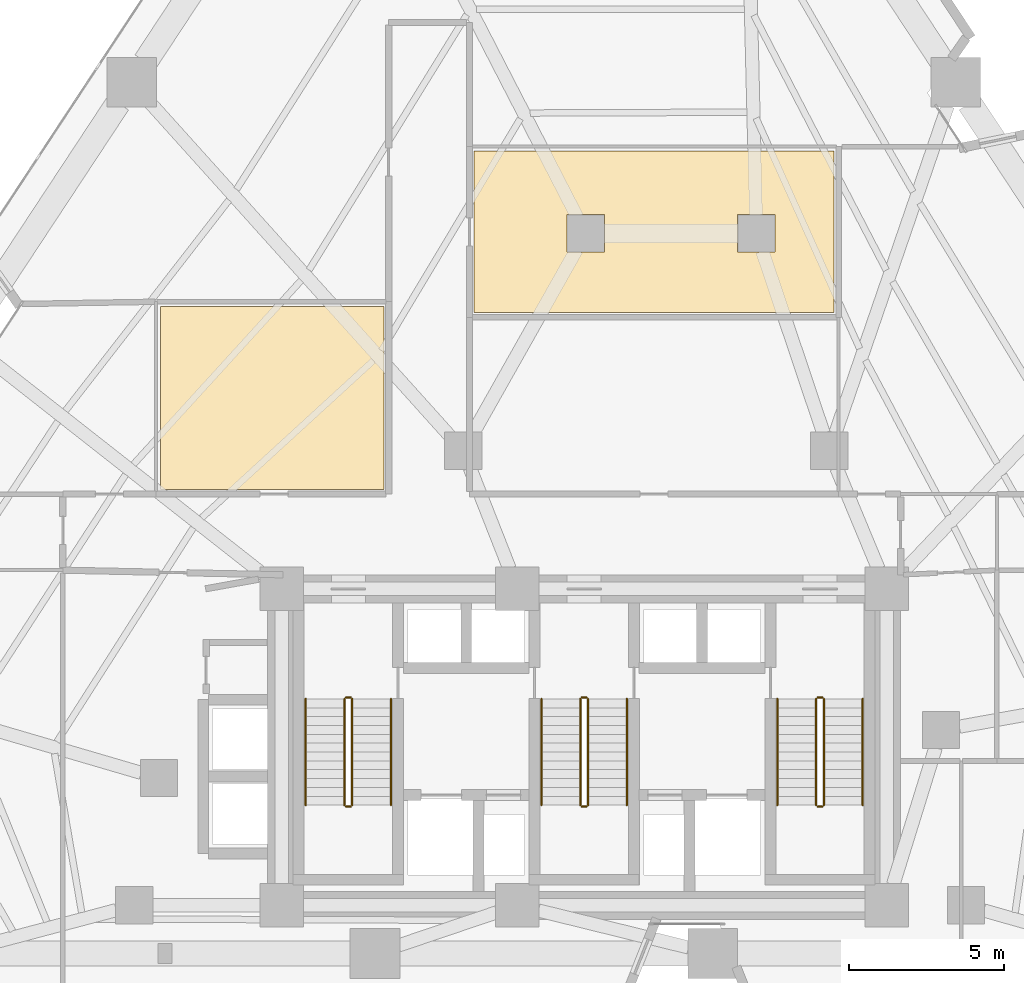
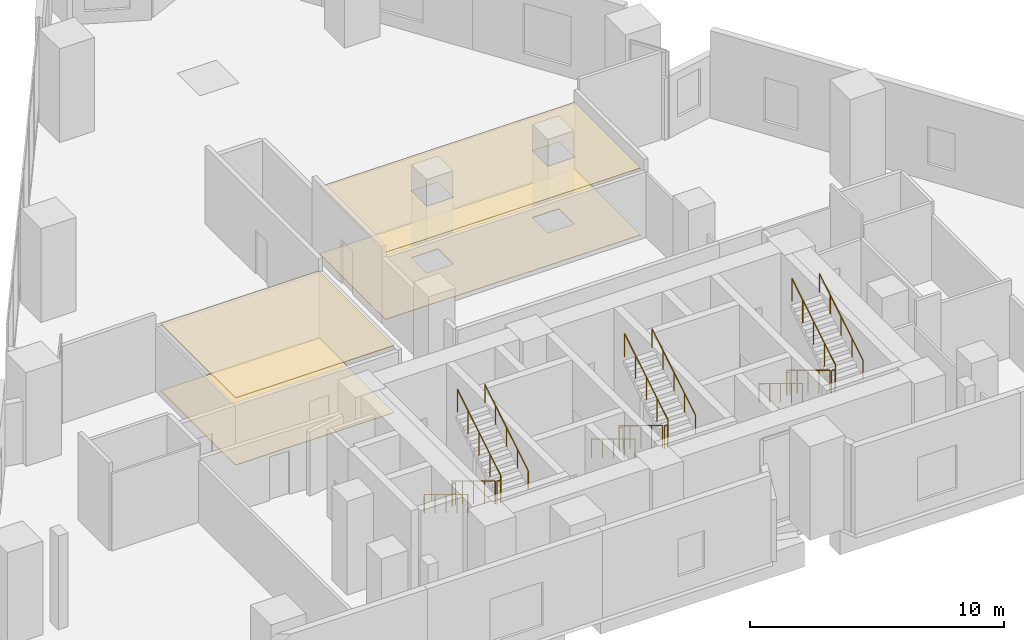
# One storey, part 11 of 12: 18 railings, 4 coverings.
"""IFC4 building model written with IfcOpenShell, lengths in metres."""

from ifc_helpers import new_model, si_unit, direction, frame, origin, origin_2d, place, context, subcontext, project, spatial, polyline, circle, outline, extrude, material, layer, layer_set, type_object, element, save


model = new_model("IFC4")

# Units and contexts
model_context = context("Model", 3, precision=1e-05, world=origin(), true_north=direction((0.0, 1.0)))
body_context = subcontext(model_context, "Body", "Model", "MODEL_VIEW")
ifc_project = project(units=[si_unit("LENGTHUNIT", "METRE"), si_unit("AREAUNIT", "SQUARE_METRE"), si_unit("VOLUMEUNIT", "CUBIC_METRE"), si_unit("PLANEANGLEUNIT", "RADIAN"), si_unit("MASSUNIT", "GRAM", prefix="KILO")], contexts=[model_context])

# Site, building, storey
site_placement = place(None, origin())
site = spatial("IfcSite", under=ifc_project, at=site_placement, CompositionType="ELEMENT")
building_placement = place(site_placement, origin())
building = spatial("IfcBuilding", under=site, at=building_placement, Name="Almagre Mirador Tower", CompositionType="ELEMENT")
storey_placement = place(building_placement, frame((0.0, 0.0, 17.39990234375)))
storey = spatial("IfcBuildingStorey", under=building, at=storey_placement, Name="L03", CompositionType="ELEMENT", Elevation=17.39990234375)

# Coverings
ifc_material_1 = material(Name="Perforated acoustic gypsum ceiling", Category="other")
ifc_layer_1 = layer(ifc_material_1, 0.01806640625)
ifc_layer_set_1 = layer_set([ifc_layer_1], Name="Perforated acoustic gypsum ceiling")
covering_type_1 = type_object("IfcCoveringType", Name="COV-CEIL-GYP-18", PredefinedType="CEILING", material=ifc_layer_set_1)
covering_1_placement = place(storey_placement, frame((0.0, 0.0, 3.22021484375)))
element("IfcCovering", 1, at=covering_1_placement, inside=storey, type_object=covering_type_1, Name="L03 Acoustics Relaxation Lounge acoustic suspended ceiling", PredefinedType="CEILING", context=body_context, shape_type="SweptSolid", body=[
    extrude(outline(polyline([(45.35009765625, 28.85009765625), (45.35009765625, 23.64990234375), (33.75, 23.64990234375), (33.75, 28.85009765625), (45.35009765625, 28.85009765625)]), holes=[polyline([(36.7451171875, 25.594970703125), (36.7451171875, 26.804931640625), (37.955078125, 26.804931640625), (37.955078125, 25.594970703125), (36.7451171875, 25.594970703125)]), polyline([(42.2451171875, 25.594970703125), (42.2451171875, 26.804931640625), (43.455078125, 26.804931640625), (43.455078125, 25.594970703125), (42.2451171875, 25.594970703125)])]), origin(), (0.0, 0.0, 1.0), 0.017822265625),
])
ifc_material_2 = material(Name="Slatted white oak acoustic ceiling", Category="wood")
ifc_layer_2 = layer(ifc_material_2, 0.02392578125)
ifc_layer_set_2 = layer_set([ifc_layer_2], Name="Slatted white oak acoustic ceiling")
covering_type_2 = type_object("IfcCoveringType", Name="COV-CEIL-WD-24", PredefinedType="CEILING", material=ifc_layer_set_2)
covering_2_placement = place(storey_placement, frame((0.0, 0.0, 3.22021484375)))
element("IfcCovering", 2, at=covering_2_placement, inside=storey, type_object=covering_type_2, Name="L03 Botanical Wellness Tea Bar acoustic suspended ceiling", PredefinedType="CEILING", context=body_context, shape_type="SweptSolid", body=[
    extrude(outline(polyline([(23.64990234375, 17.949951171875), (23.64990234375, 23.85009765625), (30.85009765625, 23.85009765625), (30.85009765625, 17.949951171875), (23.64990234375, 17.949951171875)])), origin(), (0.0, 0.0, 1.0), 0.02392578125),
])
ifc_material_3 = material(Name="Honed basalt terrazzo flooring", Category="masonry")
ifc_layer_3 = layer(ifc_material_3, 0.02197265625)
ifc_layer_set_3 = layer_set([ifc_layer_3], Name="Honed basalt terrazzo flooring")
covering_type_3 = type_object("IfcCoveringType", Name="COV-FLR-TER-22", PredefinedType="FLOORING", material=ifc_layer_set_3)
covering_3_placement = place(storey_placement, origin())
element("IfcCovering", 3, at=covering_3_placement, inside=storey, type_object=covering_type_3, Name="L03 Botanical Wellness Tea Bar finish flooring", PredefinedType="FLOORING", context=body_context, shape_type="SweptSolid", body=[
    extrude(outline(polyline([(23.64990234375, 17.949951171875), (23.64990234375, 23.85009765625), (30.85009765625, 23.85009765625), (30.85009765625, 17.949951171875), (23.64990234375, 17.949951171875)])), origin(), (0.0, 0.0, 1.0), 0.022216796875),
])
covering_4_placement = place(storey_placement, origin())
element("IfcCovering", 4, at=covering_4_placement, inside=storey, type_object=covering_type_3, Name="L03 Acoustics Relaxation Lounge finish flooring", PredefinedType="FLOORING", context=body_context, shape_type="SweptSolid", body=[
    extrude(outline(polyline([(45.35009765625, 28.85009765625), (45.35009765625, 23.64990234375), (33.75, 23.64990234375), (33.75, 28.85009765625), (45.35009765625, 28.85009765625)]), holes=[polyline([(36.7451171875, 25.594970703125), (36.7451171875, 26.804931640625), (37.955078125, 26.804931640625), (37.955078125, 25.594970703125), (36.7451171875, 25.594970703125)]), polyline([(42.2451171875, 25.594970703125), (42.2451171875, 26.804931640625), (43.455078125, 26.804931640625), (43.455078125, 25.594970703125), (42.2451171875, 25.594970703125)])]), origin(), (0.0, 0.0, 1.0), 0.022216796875),
])

# Railings
ifc_material_4 = material(Name="Painted galvanized steel", Category="steel")
railing_type_1 = type_object("IfcRailingType", Name="RLG-GRD-1100", PredefinedType="GUARDRAIL", material=ifc_material_4)
railing_1_placement = place(storey_placement, frame((29.574951171875, 11.199951171875, 0.173095703125)))
element("IfcRailing", 5, at=railing_1_placement, inside=storey, type_object=railing_type_1, Name="L03 ST-1 stair guard 1", PredefinedType="GUARDRAIL", context=body_context, shape_type="SweptSolid", body=[
    extrude(circle(Radius=0.02392578125, at=origin_2d()), frame((0.0, 0.0, 1.09619140625), z_axis=(0.0, -0.854729506542, 0.519073665916), x_axis=(1.0, 0.0, 0.0)), (0.0, 0.0, 1.0), 4.001220703125),
    extrude(circle(Radius=0.02099609375, at=origin_2d()), origin(), (0.0, 0.0, 1.0), 1.072021484375),
    extrude(circle(Radius=0.02099609375, at=origin_2d()), frame((0.0, -0.85498046875, 0.519287109375)), (0.0, 0.0, 1.0), 1.072021484375),
    extrude(circle(Radius=0.02099609375, at=origin_2d()), frame((0.0, -1.7099609375, 1.03857421875)), (0.0, 0.0, 1.0), 1.072021484375),
    extrude(circle(Radius=0.02099609375, at=origin_2d()), frame((0.0, -2.56494140625, 1.5576171875)), (0.0, 0.0, 1.0), 1.072021484375),
    extrude(circle(Radius=0.02099609375, at=origin_2d()), frame((0.0, -3.419921875, 2.076904296875)), (0.0, 0.0, 1.0), 1.072021484375),
])
railing_2_placement = place(storey_placement, frame((29.625, 7.72998046875, 2.25)))
element("IfcRailing", 6, at=railing_2_placement, inside=storey, type_object=railing_type_1, Name="L03 ST-1 stair guard 2", PredefinedType="GUARDRAIL", context=body_context, shape_type="SweptSolid", body=[
    extrude(circle(Radius=0.02392578125, at=origin_2d()), frame((0.0, 0.0, 1.09619140625), z_axis=(1.0, 0.0, 0.0), x_axis=(0.0, 1.0, 0.0)), (0.0, 0.0, 1.0), 0.14990234375),
    extrude(circle(Radius=0.02099609375, at=origin_2d()), origin(), (0.0, 0.0, 1.0), 1.072021484375),
    extrude(circle(Radius=0.02099609375, at=origin_2d()), frame((0.14990234375, 0.0, 0.0)), (0.0, 0.0, 1.0), 1.072021484375),
])
railing_3_placement = place(storey_placement, frame((29.824951171875, 7.780029296875, 2.423095703125)))
element("IfcRailing", 7, at=railing_3_placement, inside=storey, type_object=railing_type_1, Name="L03 ST-1 stair guard 3", PredefinedType="GUARDRAIL", context=body_context, shape_type="SweptSolid", body=[
    extrude(circle(Radius=0.02392578125, at=origin_2d()), frame((0.0, 0.0, 1.09619140625), z_axis=(0.0, 0.854729506542, 0.519073665916), x_axis=(-1.0, 0.0, 0.0)), (0.0, 0.0, 1.0), 4.001220703125),
    extrude(circle(Radius=0.02099609375, at=origin_2d()), origin(), (0.0, 0.0, 1.0), 1.072021484375),
    extrude(circle(Radius=0.02099609375, at=origin_2d()), frame((0.0, 0.85498046875, 0.519287109375)), (0.0, 0.0, 1.0), 1.072021484375),
    extrude(circle(Radius=0.02099609375, at=origin_2d()), frame((0.0, 1.7099609375, 1.03857421875)), (0.0, 0.0, 1.0), 1.072021484375),
    extrude(circle(Radius=0.02099609375, at=origin_2d()), frame((0.0, 2.56494140625, 1.5576171875)), (0.0, 0.0, 1.0), 1.072021484375),
    extrude(circle(Radius=0.02099609375, at=origin_2d()), frame((0.0, 3.419921875, 2.076904296875)), (0.0, 0.0, 1.0), 1.072021484375),
])
railing_4_placement = place(storey_placement, frame((29.625, 11.25, 0.0)))
element("IfcRailing", 8, at=railing_4_placement, inside=storey, type_object=railing_type_1, Name="L03 ST-1 stair guard 4", PredefinedType="GUARDRAIL", context=body_context, shape_type="SweptSolid", body=[
    extrude(circle(Radius=0.02392578125, at=origin_2d()), frame((0.0, 0.0, 1.09619140625), z_axis=(1.0, 0.0, 0.0), x_axis=(0.0, 1.0, 0.0)), (0.0, 0.0, 1.0), 0.14990234375),
    extrude(circle(Radius=0.02099609375, at=origin_2d()), origin(), (0.0, 0.0, 1.0), 1.072021484375),
    extrude(circle(Radius=0.02099609375, at=origin_2d()), frame((0.14990234375, 0.0, 0.0)), (0.0, 0.0, 1.0), 1.072021484375),
])
railing_5_placement = place(storey_placement, frame((37.175048828125, 11.199951171875, 0.173095703125)))
element("IfcRailing", 9, at=railing_5_placement, inside=storey, type_object=railing_type_1, Name="L03 ST-2 stair guard 1", PredefinedType="GUARDRAIL", context=body_context, shape_type="SweptSolid", body=[
    extrude(circle(Radius=0.02392578125, at=origin_2d()), frame((0.0, 0.0, 1.09619140625), z_axis=(0.0, -0.854729506542, 0.519073665916), x_axis=(1.0, 0.0, 0.0)), (0.0, 0.0, 1.0), 4.001220703125),
    extrude(circle(Radius=0.02099609375, at=origin_2d()), origin(), (0.0, 0.0, 1.0), 1.072021484375),
    extrude(circle(Radius=0.02099609375, at=origin_2d()), frame((0.0, -0.85498046875, 0.519287109375)), (0.0, 0.0, 1.0), 1.072021484375),
    extrude(circle(Radius=0.02099609375, at=origin_2d()), frame((0.0, -1.7099609375, 1.03857421875)), (0.0, 0.0, 1.0), 1.072021484375),
    extrude(circle(Radius=0.02099609375, at=origin_2d()), frame((0.0, -2.56494140625, 1.5576171875)), (0.0, 0.0, 1.0), 1.072021484375),
    extrude(circle(Radius=0.02099609375, at=origin_2d()), frame((0.0, -3.419921875, 2.076904296875)), (0.0, 0.0, 1.0), 1.072021484375),
])
railing_6_placement = place(storey_placement, frame((37.22509765625, 7.72998046875, 2.25)))
element("IfcRailing", 10, at=railing_6_placement, inside=storey, type_object=railing_type_1, Name="L03 ST-2 stair guard 2", PredefinedType="GUARDRAIL", context=body_context, shape_type="SweptSolid", body=[
    extrude(circle(Radius=0.02392578125, at=origin_2d()), frame((0.0, 0.0, 1.09619140625), z_axis=(1.0, 0.0, 0.0), x_axis=(0.0, 1.0, 0.0)), (0.0, 0.0, 1.0), 0.14990234375),
    extrude(circle(Radius=0.02099609375, at=origin_2d()), origin(), (0.0, 0.0, 1.0), 1.072021484375),
    extrude(circle(Radius=0.02099609375, at=origin_2d()), frame((0.14990234375, 0.0, 0.0)), (0.0, 0.0, 1.0), 1.072021484375),
])
railing_7_placement = place(storey_placement, frame((37.425048828125, 7.780029296875, 2.423095703125)))
element("IfcRailing", 11, at=railing_7_placement, inside=storey, type_object=railing_type_1, Name="L03 ST-2 stair guard 3", PredefinedType="GUARDRAIL", context=body_context, shape_type="SweptSolid", body=[
    extrude(circle(Radius=0.02392578125, at=origin_2d()), frame((0.0, 0.0, 1.09619140625), z_axis=(0.0, 0.854729506542, 0.519073665916), x_axis=(-1.0, 0.0, 0.0)), (0.0, 0.0, 1.0), 4.001220703125),
    extrude(circle(Radius=0.02099609375, at=origin_2d()), origin(), (0.0, 0.0, 1.0), 1.072021484375),
    extrude(circle(Radius=0.02099609375, at=origin_2d()), frame((0.0, 0.85498046875, 0.519287109375)), (0.0, 0.0, 1.0), 1.072021484375),
    extrude(circle(Radius=0.02099609375, at=origin_2d()), frame((0.0, 1.7099609375, 1.03857421875)), (0.0, 0.0, 1.0), 1.072021484375),
    extrude(circle(Radius=0.02099609375, at=origin_2d()), frame((0.0, 2.56494140625, 1.5576171875)), (0.0, 0.0, 1.0), 1.072021484375),
    extrude(circle(Radius=0.02099609375, at=origin_2d()), frame((0.0, 3.419921875, 2.076904296875)), (0.0, 0.0, 1.0), 1.072021484375),
])
railing_8_placement = place(storey_placement, frame((37.22509765625, 11.25, 0.0)))
element("IfcRailing", 12, at=railing_8_placement, inside=storey, type_object=railing_type_1, Name="L03 ST-2 stair guard 4", PredefinedType="GUARDRAIL", context=body_context, shape_type="SweptSolid", body=[
    extrude(circle(Radius=0.02392578125, at=origin_2d()), frame((0.0, 0.0, 1.09619140625), z_axis=(1.0, 0.0, 0.0), x_axis=(0.0, 1.0, 0.0)), (0.0, 0.0, 1.0), 0.14990234375),
    extrude(circle(Radius=0.02099609375, at=origin_2d()), origin(), (0.0, 0.0, 1.0), 1.072021484375),
    extrude(circle(Radius=0.02099609375, at=origin_2d()), frame((0.14990234375, 0.0, 0.0)), (0.0, 0.0, 1.0), 1.072021484375),
])
railing_9_placement = place(storey_placement, frame((44.77490234375, 11.199951171875, 0.173095703125)))
element("IfcRailing", 13, at=railing_9_placement, inside=storey, type_object=railing_type_1, Name="L03 ST-3 stair guard 1", PredefinedType="GUARDRAIL", context=body_context, shape_type="SweptSolid", body=[
    extrude(circle(Radius=0.02392578125, at=origin_2d()), frame((0.0, 0.0, 1.09619140625), z_axis=(0.0, -0.854729506542, 0.519073665916), x_axis=(1.0, 0.0, 0.0)), (0.0, 0.0, 1.0), 4.001220703125),
    extrude(circle(Radius=0.02099609375, at=origin_2d()), origin(), (0.0, 0.0, 1.0), 1.072021484375),
    extrude(circle(Radius=0.02099609375, at=origin_2d()), frame((0.0, -0.85498046875, 0.519287109375)), (0.0, 0.0, 1.0), 1.072021484375),
    extrude(circle(Radius=0.02099609375, at=origin_2d()), frame((0.0, -1.7099609375, 1.03857421875)), (0.0, 0.0, 1.0), 1.072021484375),
    extrude(circle(Radius=0.02099609375, at=origin_2d()), frame((0.0, -2.56494140625, 1.5576171875)), (0.0, 0.0, 1.0), 1.072021484375),
    extrude(circle(Radius=0.02099609375, at=origin_2d()), frame((0.0, -3.419921875, 2.076904296875)), (0.0, 0.0, 1.0), 1.072021484375),
])
railing_10_placement = place(storey_placement, frame((44.824951171875, 7.72998046875, 2.25)))
element("IfcRailing", 14, at=railing_10_placement, inside=storey, type_object=railing_type_1, Name="L03 ST-3 stair guard 2", PredefinedType="GUARDRAIL", context=body_context, shape_type="SweptSolid", body=[
    extrude(circle(Radius=0.02392578125, at=origin_2d()), frame((0.0, 0.0, 1.09619140625), z_axis=(1.0, 0.0, 0.0), x_axis=(0.0, 1.0, 0.0)), (0.0, 0.0, 1.0), 0.150146484375),
    extrude(circle(Radius=0.02099609375, at=origin_2d()), origin(), (0.0, 0.0, 1.0), 1.072021484375),
    extrude(circle(Radius=0.02099609375, at=origin_2d()), frame((0.150146484375, 0.0, 0.0)), (0.0, 0.0, 1.0), 1.072021484375),
])
railing_11_placement = place(storey_placement, frame((45.02490234375, 7.780029296875, 2.423095703125)))
element("IfcRailing", 15, at=railing_11_placement, inside=storey, type_object=railing_type_1, Name="L03 ST-3 stair guard 3", PredefinedType="GUARDRAIL", context=body_context, shape_type="SweptSolid", body=[
    extrude(circle(Radius=0.02392578125, at=origin_2d()), frame((0.0, 0.0, 1.09619140625), z_axis=(0.0, 0.854729506542, 0.519073665916), x_axis=(-1.0, 0.0, 0.0)), (0.0, 0.0, 1.0), 4.001220703125),
    extrude(circle(Radius=0.02099609375, at=origin_2d()), origin(), (0.0, 0.0, 1.0), 1.072021484375),
    extrude(circle(Radius=0.02099609375, at=origin_2d()), frame((0.0, 0.85498046875, 0.519287109375)), (0.0, 0.0, 1.0), 1.072021484375),
    extrude(circle(Radius=0.02099609375, at=origin_2d()), frame((0.0, 1.7099609375, 1.03857421875)), (0.0, 0.0, 1.0), 1.072021484375),
    extrude(circle(Radius=0.02099609375, at=origin_2d()), frame((0.0, 2.56494140625, 1.5576171875)), (0.0, 0.0, 1.0), 1.072021484375),
    extrude(circle(Radius=0.02099609375, at=origin_2d()), frame((0.0, 3.419921875, 2.076904296875)), (0.0, 0.0, 1.0), 1.072021484375),
])
railing_12_placement = place(storey_placement, frame((44.824951171875, 11.25, 0.0)))
element("IfcRailing", 16, at=railing_12_placement, inside=storey, type_object=railing_type_1, Name="L03 ST-3 stair guard 4", PredefinedType="GUARDRAIL", context=body_context, shape_type="SweptSolid", body=[
    extrude(circle(Radius=0.02392578125, at=origin_2d()), frame((0.0, 0.0, 1.09619140625), z_axis=(1.0, 0.0, 0.0), x_axis=(0.0, 1.0, 0.0)), (0.0, 0.0, 1.0), 0.150146484375),
    extrude(circle(Radius=0.02099609375, at=origin_2d()), origin(), (0.0, 0.0, 1.0), 1.072021484375),
    extrude(circle(Radius=0.02099609375, at=origin_2d()), frame((0.150146484375, 0.0, 0.0)), (0.0, 0.0, 1.0), 1.072021484375),
])
ifc_material_5 = material(Name="Brushed stainless steel", Category="steel")
railing_type_2 = type_object("IfcRailingType", Name="RLG-HND-915", PredefinedType="HANDRAIL", material=ifc_material_5)
railing_13_placement = place(storey_placement, frame((28.324951171875, 11.199951171875, 0.173095703125)))
element("IfcRailing", 17, at=railing_13_placement, inside=storey, type_object=railing_type_2, Name="L03 ST-1 stair handrail 1", PredefinedType="HANDRAIL", context=body_context, shape_type="SweptSolid", body=[
    extrude(circle(Radius=0.02392578125, at=origin_2d()), frame((0.0, 0.0, 0.89111328125), z_axis=(0.0, -0.854729506542, 0.519073665916), x_axis=(1.0, 0.0, 0.0)), (0.0, 0.0, 1.0), 4.001220703125),
    extrude(circle(Radius=0.02099609375, at=origin_2d()), origin(), (0.0, 0.0, 1.0), 0.866943359375),
    extrude(circle(Radius=0.02099609375, at=origin_2d()), frame((0.0, -0.85498046875, 0.519287109375)), (0.0, 0.0, 1.0), 0.866943359375),
    extrude(circle(Radius=0.02099609375, at=origin_2d()), frame((0.0, -1.7099609375, 1.03857421875)), (0.0, 0.0, 1.0), 0.866943359375),
    extrude(circle(Radius=0.02099609375, at=origin_2d()), frame((0.0, -2.56494140625, 1.5576171875)), (0.0, 0.0, 1.0), 0.866943359375),
    extrude(circle(Radius=0.02099609375, at=origin_2d()), frame((0.0, -3.419921875, 2.076904296875)), (0.0, 0.0, 1.0), 0.866943359375),
])
railing_14_placement = place(storey_placement, frame((31.074951171875, 7.780029296875, 2.423095703125)))
element("IfcRailing", 18, at=railing_14_placement, inside=storey, type_object=railing_type_2, Name="L03 ST-1 stair handrail 2", PredefinedType="HANDRAIL", context=body_context, shape_type="SweptSolid", body=[
    extrude(circle(Radius=0.02392578125, at=origin_2d()), frame((0.0, 0.0, 0.89111328125), z_axis=(0.0, 0.854729506542, 0.519073665916), x_axis=(-1.0, 0.0, 0.0)), (0.0, 0.0, 1.0), 4.001220703125),
    extrude(circle(Radius=0.02099609375, at=origin_2d()), origin(), (0.0, 0.0, 1.0), 0.866943359375),
    extrude(circle(Radius=0.02099609375, at=origin_2d()), frame((0.0, 0.85498046875, 0.519287109375)), (0.0, 0.0, 1.0), 0.866943359375),
    extrude(circle(Radius=0.02099609375, at=origin_2d()), frame((0.0, 1.7099609375, 1.03857421875)), (0.0, 0.0, 1.0), 0.866943359375),
    extrude(circle(Radius=0.02099609375, at=origin_2d()), frame((0.0, 2.56494140625, 1.5576171875)), (0.0, 0.0, 1.0), 0.866943359375),
    extrude(circle(Radius=0.02099609375, at=origin_2d()), frame((0.0, 3.419921875, 2.076904296875)), (0.0, 0.0, 1.0), 0.866943359375),
])
railing_15_placement = place(storey_placement, frame((35.925048828125, 11.199951171875, 0.173095703125)))
element("IfcRailing", 19, at=railing_15_placement, inside=storey, type_object=railing_type_2, Name="L03 ST-2 stair handrail 1", PredefinedType="HANDRAIL", context=body_context, shape_type="SweptSolid", body=[
    extrude(circle(Radius=0.02392578125, at=origin_2d()), frame((0.0, 0.0, 0.89111328125), z_axis=(0.0, -0.854729506542, 0.519073665916), x_axis=(1.0, 0.0, 0.0)), (0.0, 0.0, 1.0), 4.001220703125),
    extrude(circle(Radius=0.02099609375, at=origin_2d()), origin(), (0.0, 0.0, 1.0), 0.866943359375),
    extrude(circle(Radius=0.02099609375, at=origin_2d()), frame((0.0, -0.85498046875, 0.519287109375)), (0.0, 0.0, 1.0), 0.866943359375),
    extrude(circle(Radius=0.02099609375, at=origin_2d()), frame((0.0, -1.7099609375, 1.03857421875)), (0.0, 0.0, 1.0), 0.866943359375),
    extrude(circle(Radius=0.02099609375, at=origin_2d()), frame((0.0, -2.56494140625, 1.5576171875)), (0.0, 0.0, 1.0), 0.866943359375),
    extrude(circle(Radius=0.02099609375, at=origin_2d()), frame((0.0, -3.419921875, 2.076904296875)), (0.0, 0.0, 1.0), 0.866943359375),
])
railing_16_placement = place(storey_placement, frame((38.675048828125, 7.780029296875, 2.423095703125)))
element("IfcRailing", 20, at=railing_16_placement, inside=storey, type_object=railing_type_2, Name="L03 ST-2 stair handrail 2", PredefinedType="HANDRAIL", context=body_context, shape_type="SweptSolid", body=[
    extrude(circle(Radius=0.02392578125, at=origin_2d()), frame((0.0, 0.0, 0.89111328125), z_axis=(0.0, 0.854729506542, 0.519073665916), x_axis=(-1.0, 0.0, 0.0)), (0.0, 0.0, 1.0), 4.001220703125),
    extrude(circle(Radius=0.02099609375, at=origin_2d()), origin(), (0.0, 0.0, 1.0), 0.866943359375),
    extrude(circle(Radius=0.02099609375, at=origin_2d()), frame((0.0, 0.85498046875, 0.519287109375)), (0.0, 0.0, 1.0), 0.866943359375),
    extrude(circle(Radius=0.02099609375, at=origin_2d()), frame((0.0, 1.7099609375, 1.03857421875)), (0.0, 0.0, 1.0), 0.866943359375),
    extrude(circle(Radius=0.02099609375, at=origin_2d()), frame((0.0, 2.56494140625, 1.5576171875)), (0.0, 0.0, 1.0), 0.866943359375),
    extrude(circle(Radius=0.02099609375, at=origin_2d()), frame((0.0, 3.419921875, 2.076904296875)), (0.0, 0.0, 1.0), 0.866943359375),
])
railing_17_placement = place(storey_placement, frame((43.52490234375, 11.199951171875, 0.173095703125)))
element("IfcRailing", 21, at=railing_17_placement, inside=storey, type_object=railing_type_2, Name="L03 ST-3 stair handrail 1", PredefinedType="HANDRAIL", context=body_context, shape_type="SweptSolid", body=[
    extrude(circle(Radius=0.02392578125, at=origin_2d()), frame((0.0, 0.0, 0.89111328125), z_axis=(0.0, -0.854729506542, 0.519073665916), x_axis=(1.0, 0.0, 0.0)), (0.0, 0.0, 1.0), 4.001220703125),
    extrude(circle(Radius=0.02099609375, at=origin_2d()), origin(), (0.0, 0.0, 1.0), 0.866943359375),
    extrude(circle(Radius=0.02099609375, at=origin_2d()), frame((0.0, -0.85498046875, 0.519287109375)), (0.0, 0.0, 1.0), 0.866943359375),
    extrude(circle(Radius=0.02099609375, at=origin_2d()), frame((0.0, -1.7099609375, 1.03857421875)), (0.0, 0.0, 1.0), 0.866943359375),
    extrude(circle(Radius=0.02099609375, at=origin_2d()), frame((0.0, -2.56494140625, 1.5576171875)), (0.0, 0.0, 1.0), 0.866943359375),
    extrude(circle(Radius=0.02099609375, at=origin_2d()), frame((0.0, -3.419921875, 2.076904296875)), (0.0, 0.0, 1.0), 0.866943359375),
])
railing_18_placement = place(storey_placement, frame((46.27490234375, 7.780029296875, 2.423095703125)))
element("IfcRailing", 22, at=railing_18_placement, inside=storey, type_object=railing_type_2, Name="L03 ST-3 stair handrail 2", PredefinedType="HANDRAIL", context=body_context, shape_type="SweptSolid", body=[
    extrude(circle(Radius=0.02392578125, at=origin_2d()), frame((0.0, 0.0, 0.89111328125), z_axis=(0.0, 0.854729506542, 0.519073665916), x_axis=(-1.0, 0.0, 0.0)), (0.0, 0.0, 1.0), 4.001220703125),
    extrude(circle(Radius=0.02099609375, at=origin_2d()), origin(), (0.0, 0.0, 1.0), 0.866943359375),
    extrude(circle(Radius=0.02099609375, at=origin_2d()), frame((0.0, 0.85498046875, 0.519287109375)), (0.0, 0.0, 1.0), 0.866943359375),
    extrude(circle(Radius=0.02099609375, at=origin_2d()), frame((0.0, 1.7099609375, 1.03857421875)), (0.0, 0.0, 1.0), 0.866943359375),
    extrude(circle(Radius=0.02099609375, at=origin_2d()), frame((0.0, 2.56494140625, 1.5576171875)), (0.0, 0.0, 1.0), 0.866943359375),
    extrude(circle(Radius=0.02099609375, at=origin_2d()), frame((0.0, 3.419921875, 2.076904296875)), (0.0, 0.0, 1.0), 0.866943359375),
])

save(model, "model.ifc")
